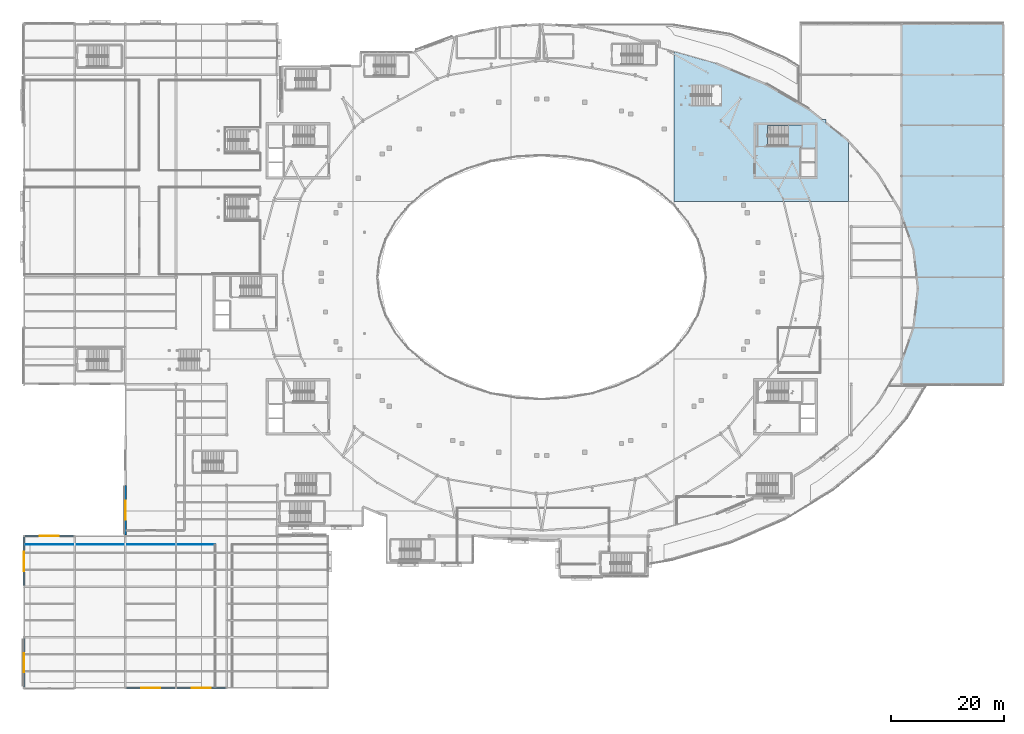
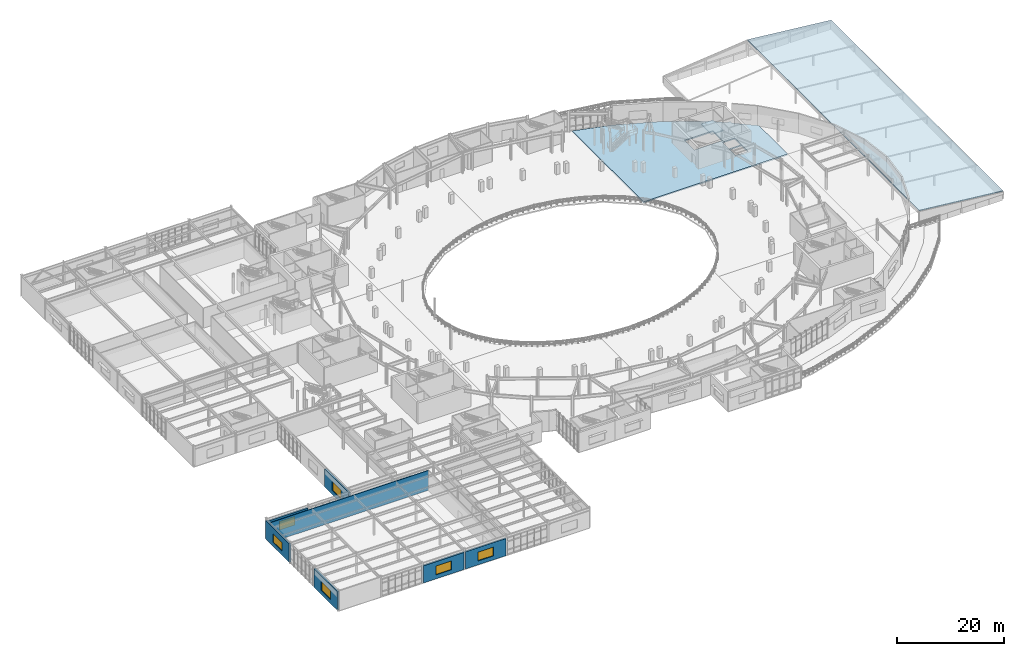
# One storey, part 56 of 84: 7 walls, 6 windows, 3 slabs, 6 openings, 2 elements without a shape of their own.
"""IFC4 building model written with IfcOpenShell, lengths in metres."""

from ifc_helpers import new_model, si_unit, direction, frame, frame_2d, origin, place, context, subcontext, project, spatial, polyline, rectangle, outline, extrude, material, layer, layer_set, type_object, element, fill, aggregate, save


model = new_model("IFC4")

# Units and contexts
model_context = context("Model", 3, precision=1e-05, world=origin(), true_north=direction((0.0, 1.0)))
body_context = subcontext(model_context, "Body", "Model", "MODEL_VIEW")
ifc_project = project(units=[si_unit("LENGTHUNIT", "METRE"), si_unit("AREAUNIT", "SQUARE_METRE"), si_unit("VOLUMEUNIT", "CUBIC_METRE"), si_unit("PLANEANGLEUNIT", "RADIAN"), si_unit("MASSUNIT", "GRAM", prefix="KILO")], contexts=[model_context])

# Site, building, storey
site_placement = place(None, origin())
site = spatial("IfcSite", under=ifc_project, at=site_placement, CompositionType="ELEMENT")
building_placement = place(site_placement, origin())
building = spatial("IfcBuilding", under=site, at=building_placement, Name="Glasvene Arena", CompositionType="ELEMENT")
storey_placement = place(building_placement, frame((0.0, 0.0, 10.199951171875)))
storey = spatial("IfcBuildingStorey", under=building, at=storey_placement, Name="L02", CompositionType="ELEMENT", Elevation=10.199951171875)

# Slab
ifc_material_1 = material(Name="Concrete C40/50", Category="concrete")
ifc_layer_1 = layer(ifc_material_1, 0.280029296875)
ifc_layer_set_1 = layer_set([ifc_layer_1], Name="Concrete C40/50")
slab_type_1 = type_object("IfcSlabType", Name="SL-CONC-280", PredefinedType="FLOOR", material=ifc_layer_set_1)
slab_1_placement = place(storey_placement, frame((135.577880859375, 100.381103515625, -0.280029296875)))
element("IfcSlab", 1, at=slab_1_placement, inside=storey, type_object=slab_type_1, Name="Structural floor slab L02 sector 4-5 (80)", PredefinedType="FLOOR", context=body_context, shape_type="SweptSolid", body=[
    extrude(outline(polyline([(-3.8427734375, 6.94384765625), (4.0205078125, 2.367919921875), (6.213134765625, 0.618896484375), (6.922119140625, 0.618896484375), (6.922119140625, 0.05322265625), (10.736328125, -2.989501953125), (10.922119140625, -3.196044921875), (10.922119140625, -13.881103515625), (-20.077880859375, -13.881103515625), (-20.077880859375, 12.718505859375), (-12.659912109375, 10.625), (-3.8427734375, 6.94384765625)]), holes=[polyline([(4.97216796875, -9.43115234375), (4.97216796875, -6.981201171875), (2.322021484375, -6.981201171875), (2.322021484375, -9.43115234375), (4.97216796875, -9.43115234375)]), polyline([(4.97216796875, -6.881103515625), (4.97216796875, -4.43115234375), (2.322021484375, -4.43115234375), (2.322021484375, -6.881103515625), (4.97216796875, -6.881103515625)]), polyline([(2.6220703125, -4.031005859375), (2.6220703125, -0.381103515625), (-3.475830078125, -0.381103515625), (-3.475830078125, -4.031005859375), (2.6220703125, -4.031005859375)])]), origin(), (0.0, 0.0, 1.0), 0.280029296875),
])

# Stair, slab
stair_type = type_object("IfcStairType", Name="ST-HT-480-170", PredefinedType="HALF_TURN_STAIR", material=ifc_material_1)
stair_placement = place(storey_placement, origin())
stair = element("IfcStair", 2, at=stair_placement, inside=storey, type_object=stair_type, Name="Protected escape stair ST-02 (L02 to L03)", PredefinedType="HALF_TURN_STAIR")
ifc_layer_2 = layer(ifc_material_1, 0.219970703125)
ifc_layer_set_2 = layer_set([ifc_layer_2], Name="Concrete C40/50")
slab_type_2 = type_object("IfcSlabType", Name="SL-LAND-220", PredefinedType="LANDING", material=ifc_layer_set_2)
slab_2_placement = place(storey_placement, frame((137.02001953125, 98.175048828125, 2.179931640625)))
slab_2 = element("IfcSlab", 3, at=slab_2_placement, type_object=slab_type_2, Name="Protected escape stair ST-02 (L02 to L03) landing 1", PredefinedType="LANDING", context=body_context, shape_type="SweptSolid", body=[
    extrude(outline(polyline([(-1.280029296875, -1.925048828125), (1.280029296875, -1.925048828125), (1.280029296875, 1.925048828125), (-1.280029296875, 1.925048828125), (-1.280029296875, -1.925048828125)])), origin(), (0.0, 0.0, 1.0), 0.22021484375),
])
aggregate(stair, [slab_2])

# Roof, slab
ifc_material_2 = material(Name="Smooth matte white insulated roof panel")
ifc_layer_3 = layer(ifc_material_2, 0.179931640625)
ifc_layer_set_3 = layer_set([ifc_layer_3], Name="Smooth matte white insulated roof panel")
roof_type = type_object("IfcRoofType", Name="RF-PETAL-ASSY", PredefinedType="PAVILION_ROOF", material=ifc_layer_set_3)
roof_placement = place(storey_placement, frame((156.0, 86.0, 1.75)))
roof = element("IfcRoof", 4, at=roof_placement, inside=storey, type_object=roof_type, Name="Pitched Prairie wing roof V5", PredefinedType="PAVILION_ROOF")
ifc_layer_4 = layer(ifc_material_1, 0.159912109375)
ifc_layer_set_4 = layer_set([ifc_layer_4], Name="Concrete C40/50")
slab_type_3 = type_object("IfcSlabType", Name="SL-WING-160", PredefinedType="ROOF", material=ifc_layer_set_4)
slab_3_placement = place(storey_placement, frame((156.0, 54.0, 3.60009765625), z_axis=(0.10224454656, 0.0, 0.994759293849), x_axis=(0.994759293849, 0.0, -0.10224454656)))
slab_3 = element("IfcSlab", 5, at=slab_3_placement, type_object=slab_type_3, Name="Pitched wing roof slab V5-E", PredefinedType="ROOF", context=body_context, shape_type="SweptSolid", body=[
    extrude(outline(polyline([(0.0, 0.0), (18.094829685235, 0.0), (18.094829685235, 64.0), (0.0, 64.0), (0.0, 0.0)])), origin(), (0.0, 0.0, -1.0), 0.159912109375),
])
aggregate(roof, [slab_3])

# Wall, opening, window
ifc_material_3 = material(Name="Coursed pale Irish limestone", Category="masonry")
ifc_layer_5 = layer(ifc_material_3, 0.360107421875)
ifc_layer_set_5 = layer_set([ifc_layer_5], Name="Coursed pale Irish limestone")
wall_type_1 = type_object("IfcWallType", Name="WL-EXT-LIM-360", PredefinedType="STANDARD", material=ifc_layer_set_5)
wall_1_placement = place(storey_placement, frame((35.869873046875, 0.0, 0.0), z_axis=(0.0, 0.0, 1.0), x_axis=(-1.0, 0.0, 0.0)))
wall_1 = element("IfcWall", 6, at=wall_1_placement, inside=storey, type_object=wall_type_1, Name="External facade wall EW-L02-0173", PredefinedType="STANDARD", context=body_context, shape_type="SweptSolid", body=[
    extrude(rectangle(XDim=8.7177734375, YDim=0.360107421875, at=frame_2d((4.35888671875, 0.0))), origin(), (0.0, 0.0, 1.0), 3.907470703125),
])
opening_1_placement = place(wall_1_placement, frame((2.658935546875, 0.0, 0.89990234375)))
opening_1 = element("IfcOpeningElement", 7, at=opening_1_placement, cuts=wall_1, Name="Opening W-06", PredefinedType="OPENING", context=body_context, shape_type="SweptSolid", body=[
    extrude(rectangle(XDim=3.39990234375, YDim=2.0, at=frame_2d((1.699951171875, 1.0))), frame((0.0, 0.18994140625, 0.0), z_axis=(0.0, -1.0, 0.0), x_axis=(1.0, 0.0, 0.0)), (0.0, 0.0, 1.0), 0.380126953125),
])
ifc_material_4 = material(Name="Low-emissivity laminated double glazing", Category="glass")
window_type = type_object("IfcWindowType", Name="WN-CLUB-340x200", PartitioningType="TRIPLE_PANEL_VERTICAL", PredefinedType="WINDOW", material=ifc_material_4)
window_1_placement = place(opening_1_placement, origin())
window_1 = element("IfcWindow", 8, at=window_1_placement, inside=storey, type_object=window_type, Name="Facade window WN-CLUB-340x200 L02-0104", OverallHeight=2.0, OverallWidth=3.39990234375, PartitioningType="SINGLE_PANEL", PredefinedType="WINDOW", context=body_context, shape_type="SweptSolid", body=[
    extrude(rectangle(XDim=3.39990234375, YDim=2.0, at=frame_2d((1.699951171875, 1.0))), frame((0.0, 0.030029296875, 0.0), z_axis=(0.0, -1.0, 0.0), x_axis=(1.0, 0.0, 0.0)), (0.0, 0.0, 1.0), 0.06005859375),
])
fill(opening_1, window_1)

wall_2_placement = place(storey_placement, frame((26.847900390625, 0.0, 0.0), z_axis=(0.0, 0.0, 1.0), x_axis=(-1.0, 0.0, 0.0)))
wall_2 = element("IfcWall", 9, at=wall_2_placement, inside=storey, type_object=wall_type_1, Name="External facade wall EW-L02-0174", PredefinedType="STANDARD", context=body_context, shape_type="SweptSolid", body=[
    extrude(rectangle(XDim=8.7177734375, YDim=0.360107421875, at=frame_2d((4.35888671875, 0.0))), origin(), (0.0, 0.0, 1.0), 3.907470703125),
])
opening_2_placement = place(wall_2_placement, frame((2.658935546875, 0.0, 0.89990234375)))
opening_2 = element("IfcOpeningElement", 10, at=opening_2_placement, cuts=wall_2, Name="Opening W-06", PredefinedType="OPENING", context=body_context, shape_type="SweptSolid", body=[
    extrude(rectangle(XDim=3.39990234375, YDim=2.0, at=frame_2d((1.699951171875, 1.0))), frame((0.0, 0.18994140625, 0.0), z_axis=(0.0, -1.0, 0.0), x_axis=(1.0, 0.0, 0.0)), (0.0, 0.0, 1.0), 0.380126953125),
])
window_2_placement = place(opening_2_placement, origin())
window_2 = element("IfcWindow", 11, at=window_2_placement, inside=storey, type_object=window_type, Name="Facade window WN-CLUB-340x200 L02-0105", OverallHeight=2.0, OverallWidth=3.39990234375, PartitioningType="SINGLE_PANEL", PredefinedType="WINDOW", context=body_context, shape_type="SweptSolid", body=[
    extrude(rectangle(XDim=3.39990234375, YDim=2.0, at=frame_2d((1.699951171875, 1.0))), frame((0.0, 0.030029296875, 0.0), z_axis=(0.0, -1.0, 0.0), x_axis=(1.0, 0.0, 0.0)), (0.0, 0.0, 1.0), 0.06005859375),
])
fill(opening_2, window_2)

wall_3_placement = place(storey_placement, frame((0.0, 0.132080078125, 0.0), z_axis=(0.0, 0.0, 1.0), x_axis=(0.0, 1.0, 0.0)))
wall_3 = element("IfcWall", 12, at=wall_3_placement, inside=storey, type_object=wall_type_1, Name="External facade wall EW-L02-0175", PredefinedType="STANDARD", context=body_context, shape_type="SweptSolid", body=[
    extrude(rectangle(XDim=8.7158203125, YDim=0.360107421875, at=frame_2d((4.35791015625, 0.0))), origin(), (0.0, 0.0, 1.0), 4.215087890625),
])
opening_3_placement = place(wall_3_placement, frame((2.657958984375, 0.0, 0.89990234375)))
opening_3 = element("IfcOpeningElement", 13, at=opening_3_placement, cuts=wall_3, Name="Opening W-06", PredefinedType="OPENING", context=body_context, shape_type="SweptSolid", body=[
    extrude(rectangle(XDim=3.39990234375, YDim=2.0, at=frame_2d((1.699951171875, 1.0))), frame((0.0, 0.18994140625, 0.0), z_axis=(0.0, -1.0, 0.0), x_axis=(1.0, 0.0, 0.0)), (0.0, 0.0, 1.0), 0.380126953125),
])
window_3_placement = place(opening_3_placement, origin())
window_3 = element("IfcWindow", 14, at=window_3_placement, inside=storey, type_object=window_type, Name="Facade window WN-CLUB-340x200 L02-0106", OverallHeight=2.0, OverallWidth=3.39990234375, PartitioningType="SINGLE_PANEL", PredefinedType="WINDOW", context=body_context, shape_type="SweptSolid", body=[
    extrude(rectangle(XDim=3.39990234375, YDim=2.0, at=frame_2d((1.699951171875, 1.0))), frame((0.0, 0.030029296875, 0.0), z_axis=(0.0, -1.0, 0.0), x_axis=(1.0, 0.0, 0.0)), (0.0, 0.0, 1.0), 0.06005859375),
])
fill(opening_3, window_3)

wall_4_placement = place(storey_placement, frame((0.0, 18.132080078125, 0.0), z_axis=(0.0, 0.0, 1.0), x_axis=(0.0, 1.0, 0.0)))
wall_4 = element("IfcWall", 15, at=wall_4_placement, inside=storey, type_object=wall_type_1, Name="External facade wall EW-L02-0176", PredefinedType="STANDARD", context=body_context, shape_type="SweptSolid", body=[
    extrude(rectangle(XDim=8.7158203125, YDim=0.360107421875, at=frame_2d((4.35791015625, 0.0))), origin(), (0.0, 0.0, 1.0), 4.215087890625),
])
opening_4_placement = place(wall_4_placement, frame((2.657958984375, 0.0, 0.89990234375)))
opening_4 = element("IfcOpeningElement", 16, at=opening_4_placement, cuts=wall_4, Name="Opening W-06", PredefinedType="OPENING", context=body_context, shape_type="SweptSolid", body=[
    extrude(rectangle(XDim=3.39990234375, YDim=2.0, at=frame_2d((1.699951171875, 1.0))), frame((0.0, 0.18994140625, 0.0), z_axis=(0.0, -1.0, 0.0), x_axis=(1.0, 0.0, 0.0)), (0.0, 0.0, 1.0), 0.380126953125),
])
window_4_placement = place(opening_4_placement, origin())
window_4 = element("IfcWindow", 17, at=window_4_placement, inside=storey, type_object=window_type, Name="Facade window WN-CLUB-340x200 L02-0107", OverallHeight=2.0, OverallWidth=3.39990234375, PartitioningType="SINGLE_PANEL", PredefinedType="WINDOW", context=body_context, shape_type="SweptSolid", body=[
    extrude(rectangle(XDim=3.39990234375, YDim=2.0, at=frame_2d((1.699951171875, 1.0))), frame((0.0, 0.030029296875, 0.0), z_axis=(0.0, -1.0, 0.0), x_axis=(1.0, 0.0, 0.0)), (0.0, 0.0, 1.0), 0.06005859375),
])
fill(opening_4, window_4)

wall_5_placement = place(storey_placement, frame((0.152099609375, 27.0, 0.0), z_axis=(0.0, 0.0, 1.0), x_axis=(1.0, 0.0, 0.0)))
wall_5 = element("IfcWall", 18, at=wall_5_placement, inside=storey, type_object=wall_type_1, Name="External facade wall EW-L02-0177", PredefinedType="STANDARD", context=body_context, shape_type="SweptSolid", body=[
    extrude(rectangle(XDim=8.7177734375, YDim=0.360107421875, at=frame_2d((4.35888671875, 0.0))), origin(), (0.0, 0.0, 1.0), 3.907470703125),
])
opening_5_placement = place(wall_5_placement, frame((2.658935546875, 0.0, 0.89990234375)))
opening_5 = element("IfcOpeningElement", 19, at=opening_5_placement, cuts=wall_5, Name="Opening W-06", PredefinedType="OPENING", context=body_context, shape_type="SweptSolid", body=[
    extrude(rectangle(XDim=3.39990234375, YDim=2.0, at=frame_2d((1.699951171875, 1.0))), frame((0.0, 0.18994140625, 0.0), z_axis=(0.0, -1.0, 0.0), x_axis=(1.0, 0.0, 0.0)), (0.0, 0.0, 1.0), 0.380126953125),
])
window_5_placement = place(opening_5_placement, origin())
window_5 = element("IfcWindow", 20, at=window_5_placement, inside=storey, type_object=window_type, Name="Facade window WN-CLUB-340x200 L02-0108", OverallHeight=2.0, OverallWidth=3.39990234375, PartitioningType="SINGLE_PANEL", PredefinedType="WINDOW", context=body_context, shape_type="SweptSolid", body=[
    extrude(rectangle(XDim=3.39990234375, YDim=2.0, at=frame_2d((1.699951171875, 1.0))), frame((0.0, 0.030029296875, 0.0), z_axis=(0.0, -1.0, 0.0), x_axis=(1.0, 0.0, 0.0)), (0.0, 0.0, 1.0), 0.06005859375),
])
fill(opening_5, window_5)

wall_6_placement = place(storey_placement, frame((18.0, 27.152099609375, 0.0), z_axis=(0.0, 0.0, 1.0), x_axis=(0.0, 1.0, 0.0)))
wall_6 = element("IfcWall", 21, at=wall_6_placement, inside=storey, type_object=wall_type_1, Name="External facade wall EW-L02-0178", PredefinedType="STANDARD", context=body_context, shape_type="SweptSolid", body=[
    extrude(rectangle(XDim=8.8818359375, YDim=0.360107421875, at=frame_2d((4.44091796875, 0.0))), origin(), (0.0, 0.0, 1.0), 4.114990234375),
])
opening_6_placement = place(wall_6_placement, frame((2.740966796875, 0.0, 0.89990234375)))
opening_6 = element("IfcOpeningElement", 22, at=opening_6_placement, cuts=wall_6, Name="Opening W-06", PredefinedType="OPENING", context=body_context, shape_type="SweptSolid", body=[
    extrude(rectangle(XDim=3.39990234375, YDim=2.0, at=frame_2d((1.699951171875, 1.0))), frame((0.0, 0.18994140625, 0.0), z_axis=(0.0, -1.0, 0.0), x_axis=(1.0, 0.0, 0.0)), (0.0, 0.0, 1.0), 0.380126953125),
])
window_6_placement = place(opening_6_placement, origin())
window_6 = element("IfcWindow", 23, at=window_6_placement, inside=storey, type_object=window_type, Name="Facade window WN-CLUB-340x200 L02-0109", OverallHeight=2.0, OverallWidth=3.39990234375, PartitioningType="SINGLE_PANEL", PredefinedType="WINDOW", context=body_context, shape_type="SweptSolid", body=[
    extrude(rectangle(XDim=3.39990234375, YDim=2.0, at=frame_2d((1.699951171875, 1.0))), frame((0.0, 0.030029296875, 0.0), z_axis=(0.0, -1.0, 0.0), x_axis=(1.0, 0.0, 0.0)), (0.0, 0.0, 1.0), 0.06005859375),
])
fill(opening_6, window_6)

# Wall
ifc_material_5 = material(Name="Insulated acoustic metal-stud partition")
ifc_layer_6 = layer(ifc_material_5, 0.14990234375)
ifc_layer_set_6 = layer_set([ifc_layer_6], Name="Insulated acoustic metal-stud partition")
wall_type_2 = type_object("IfcWallType", Name="WL-PART-150", PredefinedType="PARTITIONING", material=ifc_layer_set_6)
wall_7_placement = place(storey_placement, frame((0.0400390625, 25.5, 0.0), z_axis=(0.0, 0.0, 1.0), x_axis=(1.0, 0.0, 0.0)))
element("IfcWall", 24, at=wall_7_placement, inside=storey, type_object=wall_type_2, Name="Interior partition wall IW-L02-0202 (Prairie Foyer Panorama Lounge)", PredefinedType="PARTITIONING", context=body_context, shape_type="SweptSolid", body=[
    extrude(rectangle(XDim=33.9599609375, YDim=0.14990234375, at=frame_2d((16.97998046875, 0.0))), origin(), (0.0, 0.0, 1.0), 4.52001953125),
])

save(model, "model.ifc")
